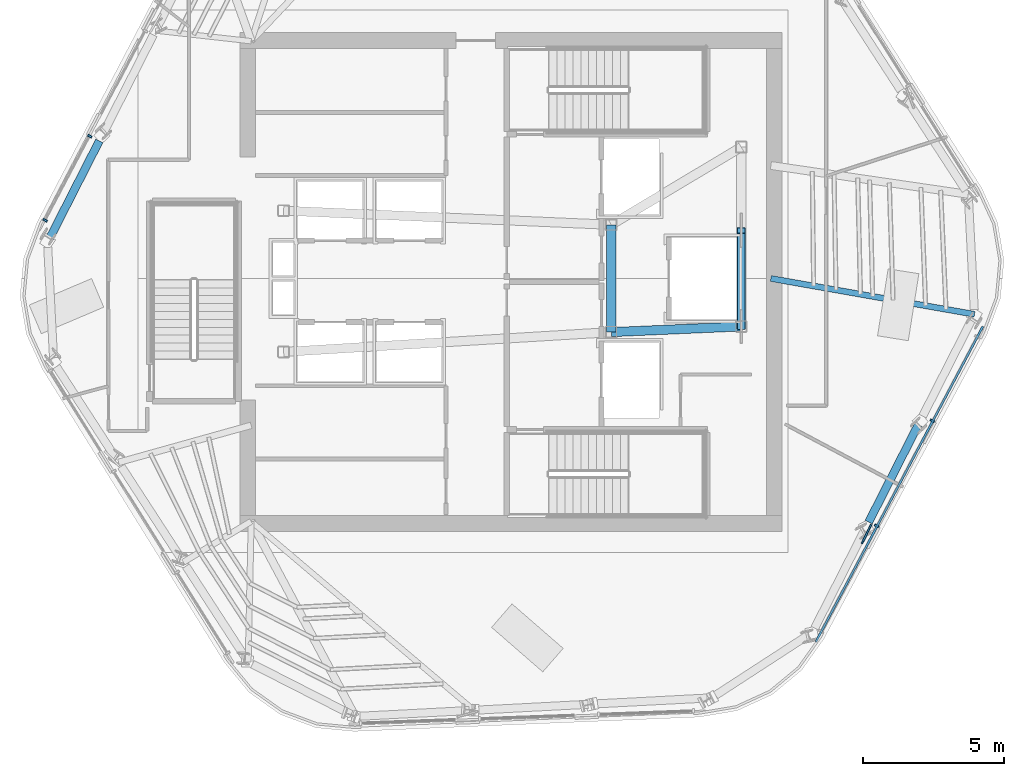
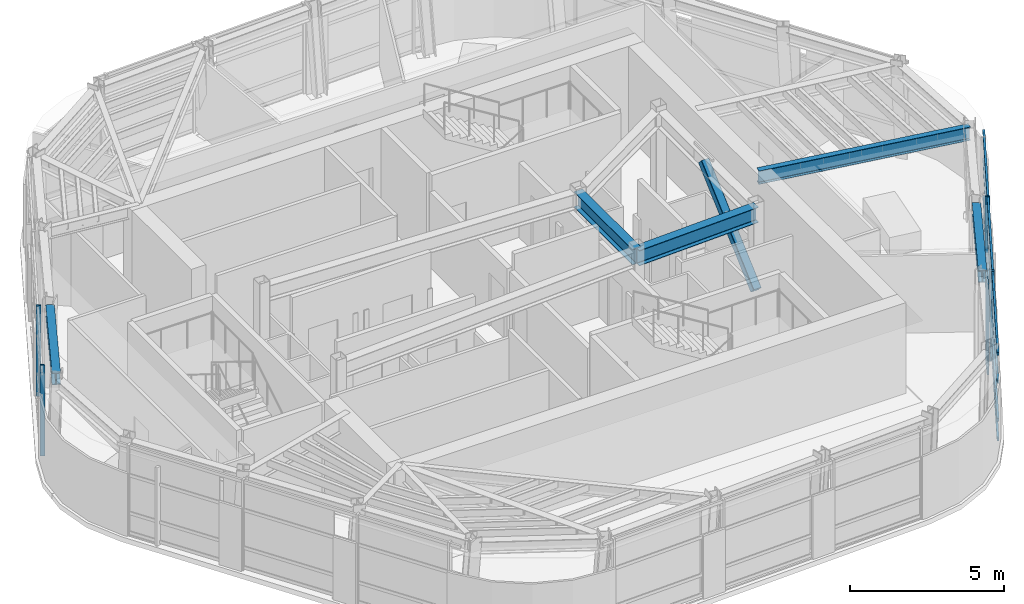
# One storey, part 3 of 13: 10 members, 5 beams, 2 elements without a shape of their own.
"""IFC4 building model written with IfcOpenShell, lengths in metres."""

from ifc_helpers import new_model, si_unit, direction, frame, origin, origin_2d, place, context, subcontext, project, spatial, rectangle, hollow_rectangle, i_section, extrude, material, layer, layer_set, material_profile, profile_set, type_object, element, aggregate, save


model = new_model("IFC4")

# Units and contexts
model_context = context("Model", 3, precision=1e-05, world=origin(), true_north=direction((0.0, 1.0)))
body_context = subcontext(model_context, "Body", "Model", "MODEL_VIEW")
ifc_project = project(units=[si_unit("LENGTHUNIT", "METRE"), si_unit("AREAUNIT", "SQUARE_METRE"), si_unit("VOLUMEUNIT", "CUBIC_METRE"), si_unit("PLANEANGLEUNIT", "RADIAN"), si_unit("MASSUNIT", "GRAM", prefix="KILO")], contexts=[model_context])

# Site, building, storey
site_placement = place(None, origin())
site = spatial("IfcSite", under=ifc_project, at=site_placement, CompositionType="ELEMENT")
building_placement = place(site_placement, origin())
building = spatial("IfcBuilding", under=site, at=building_placement, Name="Valkerne Bourse Tower", CompositionType="ELEMENT")
storey_placement = place(building_placement, frame((0.0, 0.0, 292.60009765625)))
storey = spatial("IfcBuildingStorey", under=building, at=storey_placement, Name="L74", CompositionType="ELEMENT", Elevation=292.60009765625)

# Beams
ifc_material_1 = material(Name="Steel ASTM A992", Category="steel")
ifc_material_profile_1 = material_profile(ifc_material_1, i_section(OverallWidth=0.284423828125, OverallDepth=0.47509765625, WebThickness=0.014892578125, FlangeThickness=0.02392578125, FilletRadius=0.017822265625, at=origin_2d()), Name="W18X106")
ifc_profile_set_1 = profile_set([ifc_material_profile_1], Name="Steel ASTM A992")
beam_type_1 = type_object("IfcBeamType", Name="BM-W18X106", PredefinedType="BEAM", material=ifc_profile_set_1)
for number, where, z_axis, x_axis, name in (
    (1, (32.224609375, 31.8720703125, 3.3623046875), (-0.453985287381, -0.891009179998, 0.0), (0.891009179998, -0.453985287381, 0.0), "L74 Hexagonal Spandrel Ring Beam 06"),
    (2, (59.46337890625, 18.375, 3.3623046875), (0.453985287381, 0.891009179998, 0.0), (-0.891009179998, 0.453985287381, 0.0), "L74 Hexagonal Spandrel Ring Beam 17"),
):
    element("IfcBeam", number, at=place(storey_placement, frame(where, z_axis=z_axis, x_axis=x_axis)), inside=storey, type_object=beam_type_1, Name=name, PredefinedType="BEAM", context=body_context, shape_type="SweptSolid", body=[
        extrude(i_section(OverallWidth=0.284423828125, OverallDepth=0.47509765625, WebThickness=0.014892578125, FlangeThickness=0.02392578125, FilletRadius=0.017822265625, at=origin_2d()), origin(), (0.0, 0.0, 1.0), 3.8720703125),
    ])
ifc_material_profile_2 = material_profile(ifc_material_1, i_section(OverallWidth=0.209228515625, OverallDepth=0.533447265625, WebThickness=0.01025390625, FlangeThickness=0.015625, FilletRadius=0.017822265625, at=origin_2d()), Name="W21X62")
ifc_profile_set_2 = profile_set([ifc_material_profile_2], Name="Steel ASTM A992")
beam_type_2 = type_object("IfcBeamType", Name="BM-W21X62", PredefinedType="JOIST", material=ifc_profile_set_2)
beam_1_placement = place(storey_placement, frame((63.21044921875, 25.729248046875, 3.333251953125), z_axis=(-0.984822809616, 0.173562765763, 0.0), x_axis=(-0.173562765763, -0.984822809616, 0.0)))
element("IfcBeam", 3, at=beam_1_placement, inside=storey, type_object=beam_type_2, Name="L74 Radial Composite Floor Beam 19", PredefinedType="JOIST", context=body_context, shape_type="SweptSolid", body=[
    extrude(i_section(OverallWidth=0.209228515625, OverallDepth=0.533447265625, WebThickness=0.01025390625, FlangeThickness=0.015625, FilletRadius=0.017822265625, at=origin_2d()), origin(), (0.0, 0.0, 1.0), 7.321533203125),
])
ifc_material_profile_3 = material_profile(ifc_material_1, i_section(OverallWidth=0.3251953125, OverallDepth=0.612060546875, WebThickness=0.0126953125, FlangeThickness=0.01904296875, FilletRadius=0.020263671875, at=origin_2d()), Name="W24X104")
ifc_profile_set_3 = profile_set([ifc_material_profile_3], Name="Steel ASTM A992")
beam_type_3 = type_object("IfcBeamType", Name="BM-W24X104", PredefinedType="BEAM", material=ifc_profile_set_3)
beam_2_placement = place(storey_placement, frame((50.35009765625, 25.10009765625, 3.293701171875), z_axis=(0.0, 1.0, 0.0), x_axis=(-1.0, 0.0, 0.0)))
element("IfcBeam", 4, at=beam_2_placement, inside=storey, type_object=beam_type_3, Name="L74 Core Frame Girder CG-CE", PredefinedType="BEAM", context=body_context, shape_type="SweptSolid", body=[
    extrude(i_section(OverallWidth=0.3251953125, OverallDepth=0.612060546875, WebThickness=0.0126953125, FlangeThickness=0.01904296875, FilletRadius=0.020263671875, at=origin_2d()), origin(), (0.0, 0.0, 1.0), 3.7998046875),
])
beam_3_placement = place(storey_placement, frame((50.35009765625, 25.10009765625, 3.293701171875), z_axis=(0.999056558506, 0.043428019819, 0.0), x_axis=(-0.043428019819, 0.999056558506, 0.0)))
element("IfcBeam", 5, at=beam_3_placement, inside=storey, type_object=beam_type_3, Name="L74 Core Frame Girder CG-SE", PredefinedType="BEAM", context=body_context, shape_type="SweptSolid", body=[
    extrude(i_section(OverallWidth=0.3251953125, OverallDepth=0.612060546875, WebThickness=0.0126953125, FlangeThickness=0.01904296875, FilletRadius=0.020263671875, at=origin_2d()), origin(), (0.0, 0.0, 1.0), 4.604248046875),
])

# Curtain wall, members
ifc_material_2 = material(Name="Aluminium AA 6063-T6", Category="aluminium")
ifc_layer = layer(ifc_material_2, 0.2451171875)
ifc_layer_set = layer_set([ifc_layer], Name="Aluminium AA 6063-T6")
curtain_wall_type = type_object("IfcCurtainWallType", Name="CW-05", PredefinedType="NOTDEFINED", material=ifc_layer_set)
curtain_wall_1_placement = place(storey_placement, origin())
curtain_wall_1 = element("IfcCurtainWall", 6, at=curtain_wall_1_placement, inside=storey, type_object=curtain_wall_type, Name="L74 Hexagonal Stick Curtain Wall Face 2", PredefinedType="NOTDEFINED")
ifc_material_profile_4 = material_profile(ifc_material_2, rectangle(XDim=0.074951171875, YDim=0.159912109375, at=origin_2d()), Name="CWM-75X160")
ifc_profile_set_4 = profile_set([ifc_material_profile_4], Name="Aluminium AA 6063-T6")
member_type_1 = type_object("IfcMemberType", Name="CW-MUL-160X75", PredefinedType="MULLION", material=ifc_profile_set_4)
member_1_placement = place(storey_placement, frame((31.885498046875, 32.03857421875, 0.0), z_axis=(0.0, 0.0, 1.0), x_axis=(-0.467928081072, -0.883766547763, 0.0)))
member_1 = element("IfcMember", 7, at=member_1_placement, type_object=member_type_1, Name="CW-L74-F2 Jamb Mullion 02A", PredefinedType="MULLION", context=body_context, shape_type="SweptSolid", body=[
    extrude(rectangle(XDim=0.074951171875, YDim=0.159912109375, at=origin_2d()), origin(), (0.0, 0.0, 1.0), 3.599853515625),
])
member_2_placement = place(storey_placement, frame((30.3076171875, 29.05859375, 0.0), z_axis=(0.0, 0.0, 1.0), x_axis=(-0.467928081072, -0.883766547763, 0.0)))
member_2 = element("IfcMember", 8, at=member_2_placement, type_object=member_type_1, Name="CW-L74-F2 Jamb Mullion 02B", PredefinedType="MULLION", context=body_context, shape_type="SweptSolid", body=[
    extrude(rectangle(XDim=0.074951171875, YDim=0.159912109375, at=origin_2d()), origin(), (0.0, 0.0, 1.0), 3.599853515625),
])
aggregate(curtain_wall_1, [member_1, member_2])

curtain_wall_2_placement = place(storey_placement, origin())
curtain_wall_2 = element("IfcCurtainWall", 9, at=curtain_wall_2_placement, inside=storey, type_object=curtain_wall_type, Name="L74 Hexagonal Stick Curtain Wall Face 5", PredefinedType="NOTDEFINED")
member_3_placement = place(storey_placement, frame((59.74365234375, 18.239013671875, 0.0), z_axis=(0.0, 0.0, 1.0), x_axis=(0.467918263062, 0.883771746037, 0.0)))
member_3 = element("IfcMember", 10, at=member_3_placement, type_object=member_type_1, Name="CW-L74-F5 Jamb Mullion 01A", PredefinedType="MULLION", context=body_context, shape_type="SweptSolid", body=[
    extrude(rectangle(XDim=0.074951171875, YDim=0.159912109375, at=origin_2d()), origin(), (0.0, 0.0, 1.0), 3.599853515625),
])
member_4_placement = place(storey_placement, frame((61.714599609375, 21.96142578125, 0.0), z_axis=(0.0, 0.0, 1.0), x_axis=(0.467928081072, 0.883766547763, 0.0)))
member_4 = element("IfcMember", 11, at=member_4_placement, type_object=member_type_1, Name="CW-L74-F5 Jamb Mullion 02A", PredefinedType="MULLION", context=body_context, shape_type="SweptSolid", body=[
    extrude(rectangle(XDim=0.074951171875, YDim=0.159912109375, at=origin_2d()), origin(), (0.0, 0.0, 1.0), 3.599853515625),
])
ifc_material_profile_5 = material_profile(ifc_material_2, rectangle(XDim=0.074951171875, YDim=0.1201171875, at=origin_2d()), Name="CWT-75X120")
ifc_profile_set_5 = profile_set([ifc_material_profile_5], Name="Aluminium AA 6063-T6")
member_type_2 = type_object("IfcMemberType", Name="CW-TRN-120X75", PredefinedType="USERDEFINED", material=ifc_profile_set_5)
member_5_placement = place(storey_placement, frame((57.593994140625, 14.135986328125, 0.119873046875), z_axis=(0.467920566118, 0.883770526666, 0.0), x_axis=(-0.883770526666, 0.467920566118, 0.0)))
member_5 = element("IfcMember", 12, at=member_5_placement, type_object=member_type_2, Name="CW-L74-F5 Continuous Face Transom 1", ObjectType="TRANSOM", PredefinedType="USERDEFINED", context=body_context, shape_type="SweptSolid", body=[
    extrude(rectangle(XDim=0.074951171875, YDim=0.1201171875, at=origin_2d()), origin(), (0.0, 0.0, 1.0), 12.635986328125),
])
member_6_placement = place(storey_placement, frame((57.593994140625, 14.135986328125, 0.89990234375), z_axis=(0.467920566118, 0.883770526666, 0.0), x_axis=(-0.883770526666, 0.467920566118, 0.0)))
member_6 = element("IfcMember", 13, at=member_6_placement, type_object=member_type_2, Name="CW-L74-F5 Continuous Face Transom 2", ObjectType="TRANSOM", PredefinedType="USERDEFINED", context=body_context, shape_type="SweptSolid", body=[
    extrude(rectangle(XDim=0.074951171875, YDim=0.1201171875, at=origin_2d()), origin(), (0.0, 0.0, 1.0), 12.635986328125),
])
member_7_placement = place(storey_placement, frame((57.593994140625, 14.135986328125, 2.39990234375), z_axis=(0.467920566118, 0.883770526666, 0.0), x_axis=(-0.883770526666, 0.467920566118, 0.0)))
member_7 = element("IfcMember", 14, at=member_7_placement, type_object=member_type_2, Name="CW-L74-F5 Continuous Face Transom 3", ObjectType="TRANSOM", PredefinedType="USERDEFINED", context=body_context, shape_type="SweptSolid", body=[
    extrude(rectangle(XDim=0.074951171875, YDim=0.1201171875, at=origin_2d()), origin(), (0.0, 0.0, 1.0), 12.635986328125),
])
member_8_placement = place(storey_placement, frame((57.593994140625, 14.135986328125, 3.52001953125), z_axis=(0.467920566118, 0.883770526666, 0.0), x_axis=(-0.883770526666, 0.467920566118, 0.0)))
member_8 = element("IfcMember", 15, at=member_8_placement, type_object=member_type_2, Name="CW-L74-F5 Continuous Face Transom 4", ObjectType="TRANSOM", PredefinedType="USERDEFINED", context=body_context, shape_type="SweptSolid", body=[
    extrude(rectangle(XDim=0.074951171875, YDim=0.1201171875, at=origin_2d()), origin(), (0.0, 0.0, 1.0), 12.635986328125),
])
aggregate(curtain_wall_2, [member_5, member_6, member_7, member_8, member_3, member_4])

# Members
ifc_material_3 = material(Name="Bronze Anodised Aluminium AA 6063-T6", Category="aluminium")
ifc_material_profile_6 = material_profile(ifc_material_3, rectangle(XDim=0.06494140625, YDim=0.75, at=origin_2d()), Name="FIN-65X750")
ifc_profile_set_6 = profile_set([ifc_material_profile_6], Name="Bronze Anodised Aluminium AA 6063-T6")
member_type_3 = type_object("IfcMemberType", Name="FIN-SOLAR-650", PredefinedType="USERDEFINED", material=ifc_profile_set_6)
member_9_placement = place(storey_placement, frame((59.38818359375, 17.951904296875, 0.00390625), z_axis=(0.0, 0.0, 1.0), x_axis=(0.897123346156, -0.44178015096, 0.0)))
element("IfcMember", 16, at=member_9_placement, inside=storey, type_object=member_type_3, Name="L74 Bronze Anodised Solar Fin F5-01", ObjectType="SOLAR_FIN", PredefinedType="USERDEFINED", context=body_context, shape_type="SweptSolid", body=[
    extrude(rectangle(XDim=0.06494140625, YDim=0.75, at=origin_2d()), origin(), (0.0, 0.0, 1.0), 3.592041015625),
])
ifc_material_4 = material(Name="Steel ASTM A500 Grade C", Category="steel")
ifc_material_profile_7 = material_profile(ifc_material_4, hollow_rectangle(XDim=0.300048828125, YDim=0.300048828125, WallThickness=0.012451171875, OuterFilletRadius=0.02490234375, at=origin_2d()), Name="HSS300X300X12.5")
ifc_profile_set_7 = profile_set([ifc_material_profile_7], Name="Steel ASTM A500 Grade C")
member_type_4 = type_object("IfcMemberType", Name="MBR-HSS300X300X12.5", PredefinedType="STRUT", material=ifc_profile_set_7)
member_10_placement = place(storey_placement, frame((54.949951171875, 25.300048828125, 0.219970703125), z_axis=(0.0, 0.741793158493, 0.670628742311), x_axis=(-1.0, 0.0, 0.0)))
element("IfcMember", 17, at=member_10_placement, inside=storey, type_object=member_type_4, Name="L74 Core Service Pier Lateral Brace", PredefinedType="STRUT", context=body_context, shape_type="SweptSolid", body=[
    extrude(hollow_rectangle(XDim=0.300048828125, YDim=0.300048828125, WallThickness=0.012451171875, OuterFilletRadius=0.02490234375, at=origin_2d()), origin(), (0.0, 0.0, 1.0), 4.583251953125),
])

save(model, "model.ifc")
